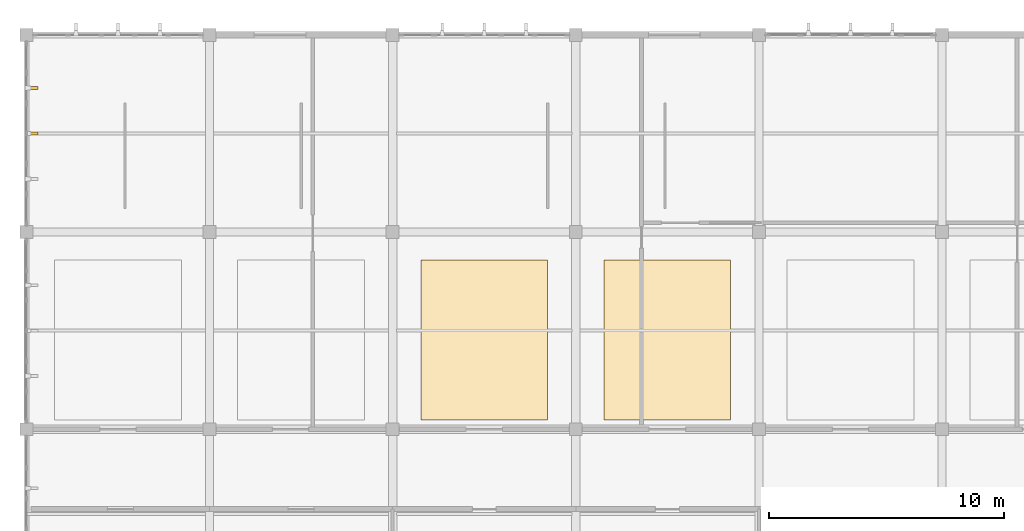
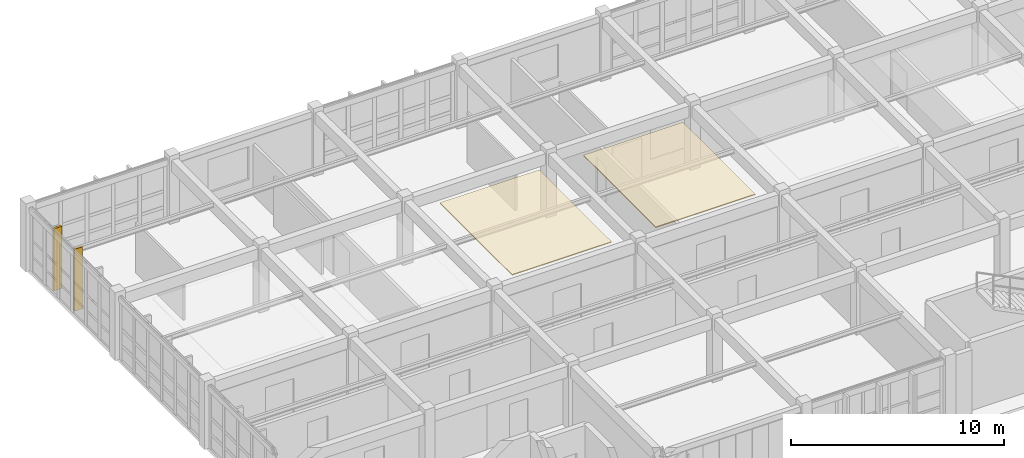
# One storey, part 30 of 35: 4 coverings.
"""IFC4 building model written with IfcOpenShell, lengths in metres."""

from ifc_helpers import new_model, si_unit, direction, frame, origin, origin_2d, place, context, subcontext, project, spatial, polyline, rectangle, outline, extrude, material, layer, layer_set, type_object, element, save


model = new_model("IFC4")

# Units and contexts
model_context = context("Model", 3, precision=1e-05, world=origin(), true_north=direction((0.0, 1.0)))
body_context = subcontext(model_context, "Body", "Model", "MODEL_VIEW")
ifc_project = project(units=[si_unit("LENGTHUNIT", "METRE"), si_unit("AREAUNIT", "SQUARE_METRE"), si_unit("VOLUMEUNIT", "CUBIC_METRE"), si_unit("PLANEANGLEUNIT", "RADIAN"), si_unit("MASSUNIT", "GRAM", prefix="KILO")], contexts=[model_context])

# Site, building, storey
site_placement = place(None, origin())
site = spatial("IfcSite", under=ifc_project, at=site_placement, CompositionType="ELEMENT")
building_placement = place(site_placement, origin())
building = spatial("IfcBuilding", under=site, at=building_placement, Name="Tizgana Railside Sports Hall", CompositionType="ELEMENT")
storey_placement = place(building_placement, frame((0.0, 0.0, 15.89990234375)))
storey = spatial("IfcBuildingStorey", under=building, at=storey_placement, Name="L03", CompositionType="ELEMENT", Elevation=15.89990234375)

# Coverings
ifc_material_1 = material(Name="Glulam GL28h", Category="wood")
ifc_layer_1 = layer(ifc_material_1, 0.139892578125, Name="Glulam GL28h")
ifc_layer_set_1 = layer_set([ifc_layer_1], Name="Glulam GL28h")
covering_type_1 = type_object("IfcCoveringType", Name="Mass-Timber Brise-Soleil & Pergola Fin", PredefinedType="CLADDING", material=ifc_layer_set_1)
for number, where, z_axis, x_axis, name in (
    (1, (8.080078125, 30.135009765625, 0.0400390625), (0.0, 0.0, 1.0), (0.0, -1.0, 0.0), "L03 Timber Brise-Soleil Fin"),
    (2, (8.080078125, 28.199951171875, 0.0400390625), (0.0, 0.0, 1.0), (0.0, -1.0, 0.0), "L03 Timber Brise-Soleil Fin"),
):
    element("IfcCovering", number, at=place(storey_placement, frame(where, z_axis=z_axis, x_axis=x_axis)), inside=storey, type_object=covering_type_1, Name=name, PredefinedType="CLADDING", context=body_context, shape_type="SweptSolid", body=[
        extrude(rectangle(XDim=0.1201171875, YDim=0.43994140625, at=origin_2d()), origin(), (0.0, 0.0, 1.0), 3.56005859375),
    ])
ifc_material_2 = material(Name="Acoustic perforated timber", Category="wood")
ifc_layer_2 = layer(ifc_material_2, 0.054931640625, Name="Acoustic perforated timber")
ifc_layer_set_2 = layer_set([ifc_layer_2], Name="Acoustic perforated timber")
covering_type_2 = type_object("IfcCoveringType", Name="Slatted Timber Acoustic Hall Ceiling", PredefinedType="CEILING", material=ifc_layer_set_2)
covering_1_placement = place(storey_placement, frame((0.0, 0.0, 3.60009765625)))
element("IfcCovering", 3, at=covering_1_placement, inside=storey, type_object=covering_type_2, Name="L03 Acoustic Ceiling CLG-0023", PredefinedType="CEILING", context=body_context, shape_type="SweptSolid", body=[
    extrude(outline(polyline([(24.60009765625, 16.0), (30.0, 16.0), (30.0, 22.800048828125), (24.60009765625, 22.800048828125), (24.60009765625, 16.0)])), origin(), (0.0, 0.0, 1.0), 0.054931640625),
])
covering_2_placement = place(storey_placement, frame((0.0, 0.0, 3.60009765625)))
element("IfcCovering", 4, at=covering_2_placement, inside=storey, type_object=covering_type_2, Name="L03 Acoustic Ceiling CLG-0024", PredefinedType="CEILING", context=body_context, shape_type="SweptSolid", body=[
    extrude(outline(polyline([(32.39990234375, 16.0), (37.800048828125, 16.0), (37.800048828125, 22.800048828125), (32.39990234375, 22.800048828125), (32.39990234375, 16.0)])), origin(), (0.0, 0.0, 1.0), 0.054931640625),
])

save(model, "model.ifc")
